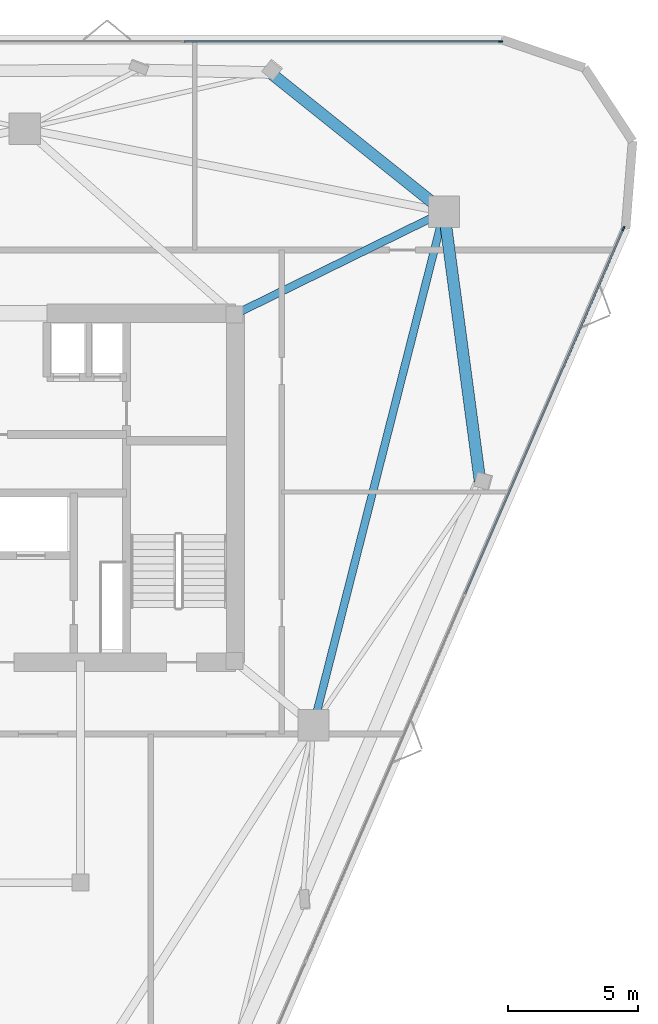
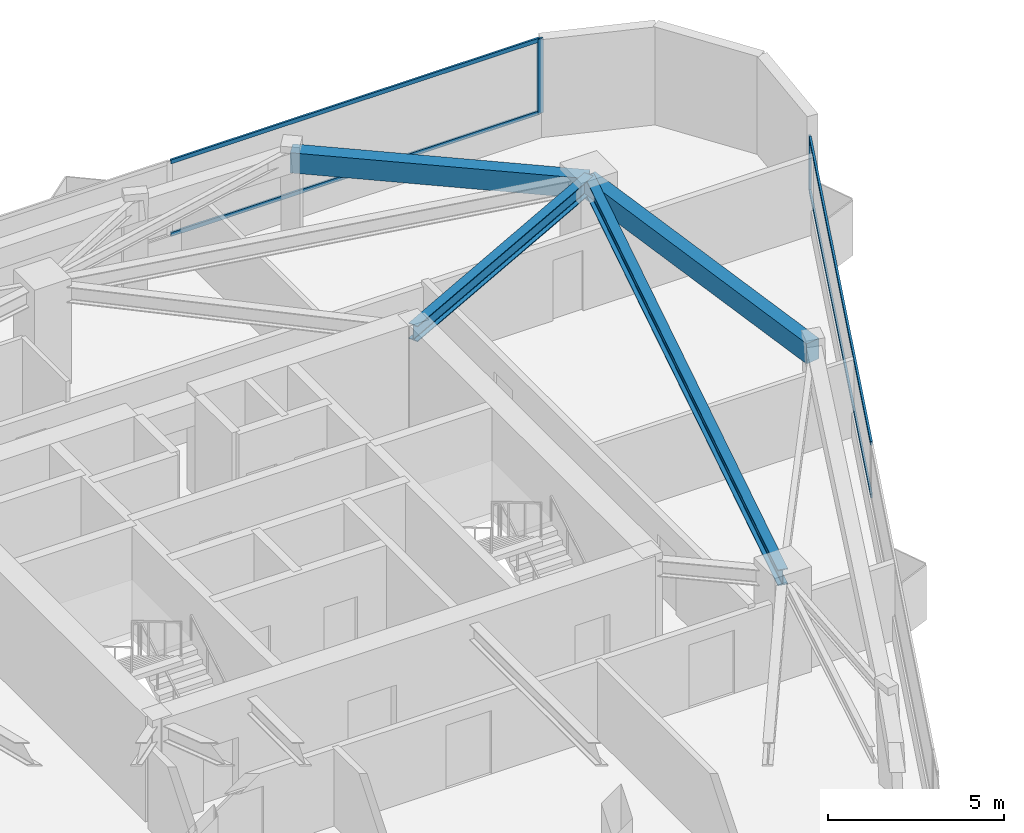
# One storey, part 7 of 11: 6 members, 4 beams, 2 elements without a shape of their own.
"""IFC4 building model written with IfcOpenShell, lengths in metres."""

from ifc_helpers import new_model, si_unit, direction, frame, origin, origin_2d, place, context, subcontext, project, spatial, rectangle, i_section, extrude, material, layer, layer_set, material_profile, profile_set, type_object, element, aggregate, save


model = new_model("IFC4")

# Units and contexts
model_context = context("Model", 3, precision=1e-05, world=origin(), true_north=direction((0.0, 1.0)))
body_context = subcontext(model_context, "Body", "Model", "MODEL_VIEW")
ifc_project = project(units=[si_unit("LENGTHUNIT", "METRE"), si_unit("AREAUNIT", "SQUARE_METRE"), si_unit("VOLUMEUNIT", "CUBIC_METRE"), si_unit("PLANEANGLEUNIT", "RADIAN"), si_unit("MASSUNIT", "GRAM", prefix="KILO")], contexts=[model_context])

# Site, building, storey
site_placement = place(None, origin())
site = spatial("IfcSite", under=ifc_project, at=site_placement, CompositionType="ELEMENT")
building_placement = place(site_placement, origin())
building = spatial("IfcBuilding", under=site, at=building_placement, Name="Talyreon Biosciences Tower", CompositionType="ELEMENT")
storey_placement = place(building_placement, frame((0.0, 0.0, 249.85009765625)))
storey = spatial("IfcBuildingStorey", under=building, at=storey_placement, Name="L66", CompositionType="ELEMENT", Elevation=249.85009765625)

# Curtain wall, member
ifc_material_1 = material(Name="Thermally broken aluminium and low-E glazing", Category="aluminium")
ifc_layer = layer(ifc_material_1, 0.175048828125)
ifc_layer_set = layer_set([ifc_layer], Name="Thermally broken aluminium and low-E glazing")
curtain_wall_type = type_object("IfcCurtainWallType", Name="CurtainWall_Zone5CompLab", PredefinedType="NOTDEFINED", material=ifc_layer_set)
curtain_wall_1_placement = place(storey_placement, origin())
curtain_wall_1 = element("IfcCurtainWall", 1, at=curtain_wall_1_placement, inside=storey, type_object=curtain_wall_type, Name="L66 Unitised Curtain Wall FCW-L66-04", PredefinedType="NOTDEFINED")
ifc_material_2 = material(Name="Anodised thermally broken aluminium", Category="aluminium")
ifc_material_profile_1 = material_profile(ifc_material_2, rectangle(XDim=0.06494140625, YDim=0.179931640625, at=origin_2d()), Name="ALUM MULLION 65x180")
ifc_profile_set_1 = profile_set([ifc_material_profile_1], Name="Anodised thermally broken aluminium")
member_type_1 = type_object("IfcMemberType", Name="CWMullion_65x180", PredefinedType="MULLION", material=ifc_profile_set_1)
member_1_placement = place(storey_placement, frame((84.271240234375, 85.1376953125, 0.809814453125), z_axis=(0.0, 0.0, 1.0), x_axis=(0.0, 1.0, 0.0)))
member_1 = element("IfcMember", 2, at=member_1_placement, type_object=member_type_1, Name="CW6 mullion 4", PredefinedType="MULLION", context=body_context, shape_type="SweptSolid", body=[
    extrude(rectangle(XDim=0.06494140625, YDim=0.179931640625, at=origin_2d()), origin(), (0.0, 0.0, 1.0), 2.590087890625),
])

curtain_wall_2_placement = place(storey_placement, origin())
curtain_wall_2 = element("IfcCurtainWall", 3, at=curtain_wall_2_placement, inside=storey, type_object=curtain_wall_type, Name="L66 Unitised Curtain Wall FCW-L66-08", PredefinedType="NOTDEFINED")
member_2_placement = place(storey_placement, frame((88.989013671875, 77.95263671875, 0.809814453125), z_axis=(0.0, 0.0, 1.0), x_axis=(0.91758594353, -0.397537465198, 0.0)))
member_2 = element("IfcMember", 4, at=member_2_placement, type_object=member_type_1, Name="CW6 mullion 1", PredefinedType="MULLION", context=body_context, shape_type="SweptSolid", body=[
    extrude(rectangle(XDim=0.06494140625, YDim=0.179931640625, at=origin_2d()), origin(), (0.0, 0.0, 1.0), 1.89013671875),
])

# Member
ifc_material_profile_2 = material_profile(ifc_material_2, rectangle(XDim=0.06494140625, YDim=0.139892578125, at=origin_2d()), Name="ALUM TRANSOM 65x140")
ifc_profile_set_2 = profile_set([ifc_material_profile_2], Name="Anodised thermally broken aluminium")
member_type_2 = type_object("IfcMemberType", Name="CWTransom_65x140", PredefinedType="USERDEFINED", material=ifc_profile_set_2)
member_3_placement = place(storey_placement, frame((72.1337890625, 85.1376953125, 0.84228515625), z_axis=(1.0, 0.0, 0.0), x_axis=(0.0, 1.0, 0.0)))
member_3 = element("IfcMember", 5, at=member_3_placement, type_object=member_type_2, Name="CW6 transom 3.1", ObjectType="TRANSOM", PredefinedType="USERDEFINED", context=body_context, shape_type="SweptSolid", body=[
    extrude(rectangle(XDim=0.06494140625, YDim=0.139892578125, at=origin_2d()), origin(), (0.0, 0.0, 1.0), 12.10498046875),
])

member_4_placement = place(storey_placement, frame((72.1337890625, 85.1376953125, 3.367431640625), z_axis=(1.0, 0.0, 0.0), x_axis=(0.0, 1.0, 0.0)))
member_4 = element("IfcMember", 6, at=member_4_placement, type_object=member_type_2, Name="CW6 transom 3.2", ObjectType="TRANSOM", PredefinedType="USERDEFINED", context=body_context, shape_type="SweptSolid", body=[
    extrude(rectangle(XDim=0.06494140625, YDim=0.139892578125, at=origin_2d()), origin(), (0.0, 0.0, 1.0), 12.10498046875),
])

aggregate(curtain_wall_1, [member_1, member_3, member_4])

member_5_placement = place(storey_placement, frame((88.97607421875, 77.9228515625, 0.84228515625), z_axis=(-0.397535103943, -0.917586966523, 0.0), x_axis=(0.917586966523, -0.397535103943, 0.0)))
member_5 = element("IfcMember", 7, at=member_5_placement, type_object=member_type_2, Name="CW6 transom 1.1", ObjectType="TRANSOM", PredefinedType="USERDEFINED", context=body_context, shape_type="SweptSolid", body=[
    extrude(rectangle(XDim=0.06494140625, YDim=0.139892578125, at=origin_2d()), origin(), (0.0, 0.0, 1.0), 15.250244140625),
])

member_6_placement = place(storey_placement, frame((88.97607421875, 77.9228515625, 2.66748046875), z_axis=(-0.397535103943, -0.917586966523, 0.0), x_axis=(0.917586966523, -0.397535103943, 0.0)))
member_6 = element("IfcMember", 8, at=member_6_placement, type_object=member_type_2, Name="CW6 transom 1.2", ObjectType="TRANSOM", PredefinedType="USERDEFINED", context=body_context, shape_type="SweptSolid", body=[
    extrude(rectangle(XDim=0.06494140625, YDim=0.139892578125, at=origin_2d()), origin(), (0.0, 0.0, 1.0), 15.250244140625),
])

aggregate(curtain_wall_2, [member_2, member_5, member_6])

# Beams
ifc_material_3 = material(Name="Precast concrete C45/55", Category="concrete")
ifc_material_profile_3 = material_profile(ifc_material_3, rectangle(XDim=0.449951171875, YDim=0.699951171875, at=origin_2d()), Name="RCB 450x700")
ifc_profile_set_3 = profile_set([ifc_material_profile_3], Name="Precast concrete C45/55")
beam_type_1 = type_object("IfcBeamType", Name="ExpressedSpandrel_450x700", PredefinedType="SPANDREL", material=ifc_profile_set_3)
beam_1_placement = place(storey_placement, frame((83.484130859375, 68.24755859375, 3.0498046875), z_axis=(-0.132322978841, 0.991206653161, 0.0), x_axis=(-0.991206653161, -0.132322978841, 0.0)))
element("IfcBeam", 9, at=beam_1_placement, inside=storey, type_object=beam_type_1, Name="L66 Expressed Horizontal Concrete Spandrel 04", PredefinedType="SPANDREL", context=body_context, shape_type="SweptSolid", body=[
    extrude(rectangle(XDim=0.449951171875, YDim=0.699951171875, at=origin_2d()), origin(), (0.0, 0.0, 1.0), 10.44287109375),
])
beam_2_placement = place(storey_placement, frame((82.102294921875, 78.5986328125, 3.0498046875), z_axis=(-0.780810360626, 0.62476810157, 0.0), x_axis=(-0.62476810157, -0.780810360626, 0.0)))
element("IfcBeam", 10, at=beam_2_placement, inside=storey, type_object=beam_type_1, Name="L66 Expressed Horizontal Concrete Spandrel 05", PredefinedType="SPANDREL", context=body_context, shape_type="SweptSolid", body=[
    extrude(rectangle(XDim=0.449951171875, YDim=0.699951171875, at=origin_2d()), origin(), (0.0, 0.0, 1.0), 8.558349609375),
])
ifc_material_4 = material(Name="Steel SM355", Category="steel")
ifc_material_profile_4 = material_profile(ifc_material_4, i_section(OverallWidth=0.300048828125, OverallDepth=0.550048828125, WebThickness=0.014892578125, FlangeThickness=0.029052734375, FilletRadius=0.027099609375, at=origin_2d()), Name="HE550B")
ifc_profile_set_4 = profile_set([ifc_material_profile_4], Name="Steel SM355")
beam_type_2 = type_object("IfcBeamType", Name="SteelBeam_HE550B", PredefinedType="BEAM", material=ifc_profile_set_4)
beam_3_placement = place(storey_placement, frame((77.086181640625, 58.88037109375, 3.125), z_axis=(0.246537082299, 0.969133358755, 0.0), x_axis=(-0.969133358755, 0.246537082299, 0.0)))
element("IfcBeam", 11, at=beam_3_placement, inside=storey, type_object=beam_type_2, Name="L66 Mega-Ring Girder 2", PredefinedType="BEAM", context=body_context, shape_type="SweptSolid", body=[
    extrude(i_section(OverallWidth=0.300048828125, OverallDepth=0.550048828125, WebThickness=0.014892578125, FlangeThickness=0.029052734375, FilletRadius=0.027099609375, at=origin_2d()), origin(), (0.0, 0.0, 1.0), 20.34619140625),
])
beam_4_placement = place(storey_placement, frame((74.050048828125, 74.64990234375, 3.125), z_axis=(0.897852360314, 0.440296648952, 0.0), x_axis=(-0.440296648952, 0.897852360314, 0.0)))
element("IfcBeam", 12, at=beam_4_placement, inside=storey, type_object=beam_type_2, Name="L66 Radial Primary Girder 3", PredefinedType="BEAM", context=body_context, shape_type="SweptSolid", body=[
    extrude(i_section(OverallWidth=0.300048828125, OverallDepth=0.550048828125, WebThickness=0.014892578125, FlangeThickness=0.029052734375, FilletRadius=0.027099609375, at=origin_2d()), origin(), (0.0, 0.0, 1.0), 8.96826171875),
])

save(model, "model.ifc")
